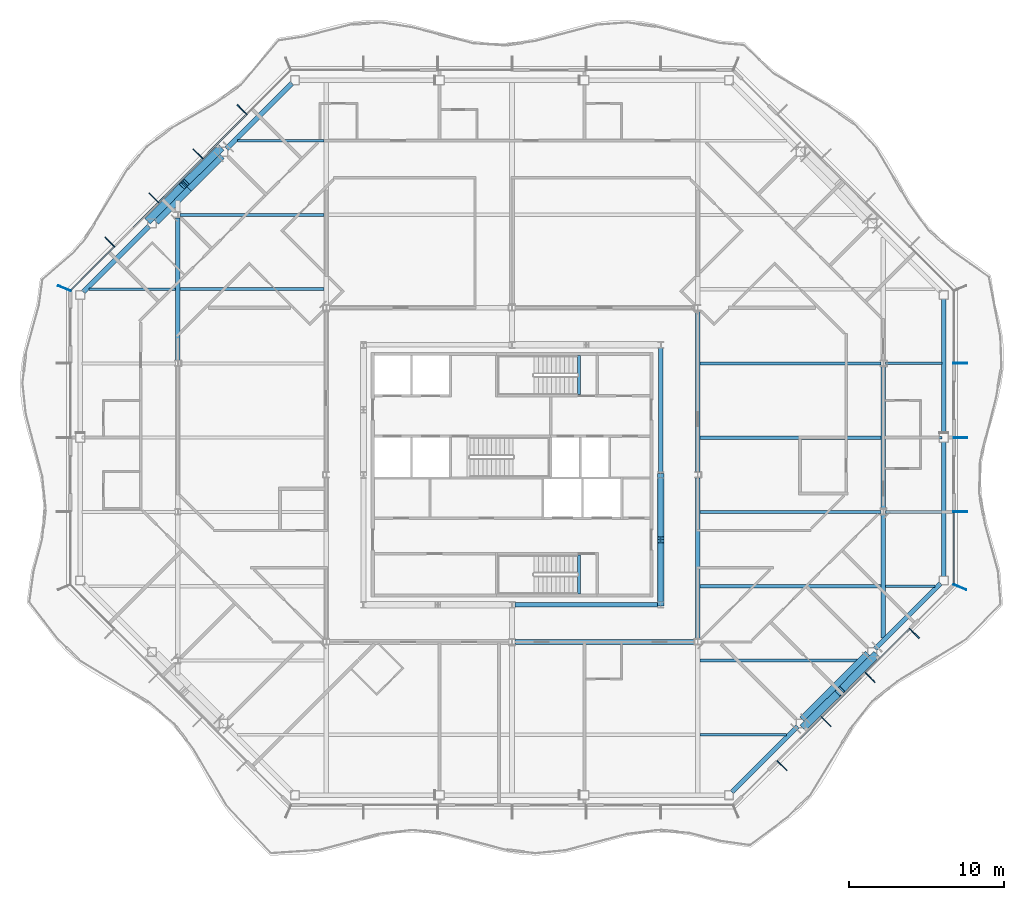
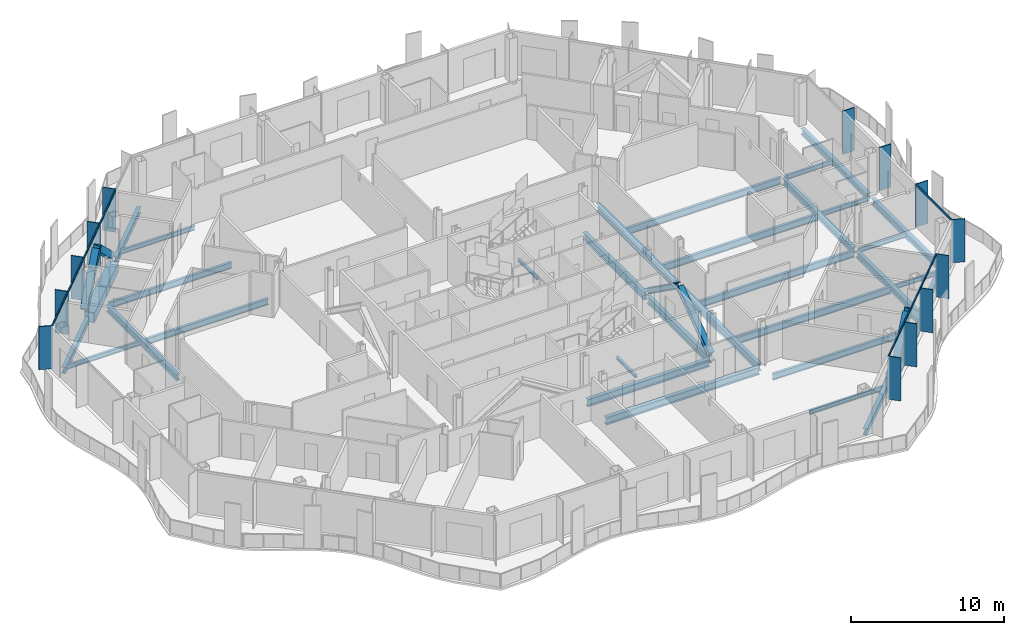
# One storey, part 4 of 21: 35 beams, 27 members, 4 elements without a shape of their own.
"""IFC4 building model written with IfcOpenShell, lengths in metres."""

from ifc_helpers import new_model, si_unit, direction, frame, origin, origin_2d, place, context, subcontext, project, spatial, rectangle, hollow_rectangle, i_section, extrude, material, material_profile, profile_set, type_object, element, aggregate, save


model = new_model("IFC4")

# Units and contexts
model_context = context("Model", 3, precision=1e-05, world=origin(), true_north=direction((0.0, 1.0)))
body_context = subcontext(model_context, "Body", "Model", "MODEL_VIEW")
ifc_project = project(units=[si_unit("LENGTHUNIT", "METRE"), si_unit("AREAUNIT", "SQUARE_METRE"), si_unit("VOLUMEUNIT", "CUBIC_METRE"), si_unit("PLANEANGLEUNIT", "RADIAN"), si_unit("MASSUNIT", "GRAM", prefix="KILO")], contexts=[model_context])

# Site, building, storey
site_placement = place(None, origin())
site = spatial("IfcSite", under=ifc_project, at=site_placement, CompositionType="ELEMENT")
building_placement = place(site_placement, origin())
building = spatial("IfcBuilding", under=site, at=building_placement, Name="Cairn Pilgrim Tower", CompositionType="ELEMENT")
storey_placement = place(building_placement, frame((0.0, 0.0, 168.60009765625)))
storey = spatial("IfcBuildingStorey", under=building, at=storey_placement, Name="L42", CompositionType="ELEMENT", Elevation=168.60009765625)

# Members
ifc_material_1 = material(Name="Structural steel S460M", Category="steel")
ifc_material_profile_1 = material_profile(ifc_material_1, hollow_rectangle(XDim=0.5, YDim=0.5, WallThickness=0.030029296875, at=origin_2d()), Name="BOX 500x500x30")
ifc_profile_set_1 = profile_set([ifc_material_profile_1], Name="Structural steel S460M")
member_type_1 = type_object("IfcMemberType", Name="BOX 500x500x30 BRACE", PredefinedType="BRACE", material=ifc_profile_set_1)
for number, where, z_axis, x_axis, name in (
    (1, (26.097900390625, -13.84326171875, 0.14990234375), (0.540432836476, 0.53283023714, 0.651171473306), (-0.702080283622, 0.712097799006, 0.0), "XB-SE2-SE3-1"),
    (2, (30.643310546875, -9.2978515625, 0.14990234375), (-0.53283023714, -0.540432836476, 0.651171473306), (0.712097799006, -0.702080283622, 0.0), "XB-SE2-SE3-2"),
    (3, (-11.697998046875, 23.443359375, 0.14990234375), (-0.540432836476, -0.53283023714, 0.651171473306), (0.702080283622, -0.712097799006, 0.0), "XB-NW2-NW3-1"),
    (4, (-16.243408203125, 18.89794921875, 0.14990234375), (0.532872437944, 0.54041586551, 0.651151024866), (-0.712058976351, 0.702119658034, 0.0), "XB-NW2-NW3-2"),
):
    element("IfcMember", number, at=place(storey_placement, frame(where, z_axis=z_axis, x_axis=x_axis)), inside=storey, type_object=member_type_1, Name=name, PredefinedType="BRACE", context=body_context, shape_type="SweptSolid", body=[
        extrude(hollow_rectangle(XDim=0.5, YDim=0.5, WallThickness=0.030029296875, at=origin_2d()), origin(), (0.0, 0.0, 1.0), 4.142578125),
    ])

# Beams
ifc_material_2 = material(Name="Structural steel S355J2", Category="steel")
ifc_material_profile_2 = material_profile(ifc_material_2, hollow_rectangle(XDim=0.699951171875, YDim=0.800048828125, WallThickness=0.0400390625, at=origin_2d()), Name="BOX 700x800x40")
ifc_profile_set_2 = profile_set([ifc_material_profile_2], Name="Structural steel S355J2")
beam_type_1 = type_object("IfcBeamType", Name="BOX 700x800x40 RING GIRDER", PredefinedType="SPANDREL", material=ifc_profile_set_2)
for number, where, z_axis, x_axis, name in (
    (5, (26.04248046875, -13.48486328125, -0.550048828125), (0.707066087907, 0.707147472125, 0.0), (-0.707147472125, 0.707066087907, 0.0), "RG2-SE2-SE3-1"),
    (6, (28.16357421875, -11.363525390625, -0.550048828125), (0.707147472125, 0.707066087907, 0.0), (-0.707066087907, 0.707147472125, 0.0), "RG2-SE2-SE3-2"),
    (7, (-11.642333984375, 23.084716796875, -0.550048828125), (-0.707147472125, -0.707066087907, 0.0), (0.707066087907, -0.707147472125, 0.0), "RG2-NW2-NW3-1"),
    (8, (-13.763671875, 20.963623046875, -0.550048828125), (-0.707066087907, -0.707147472125, 0.0), (0.707147472125, -0.707066087907, 0.0), "RG2-NW2-NW3-2"),
):
    element("IfcBeam", number, at=place(storey_placement, frame(where, z_axis=z_axis, x_axis=x_axis)), inside=storey, type_object=beam_type_1, Name=name, PredefinedType="SPANDREL", context=body_context, shape_type="SweptSolid", body=[
        extrude(hollow_rectangle(XDim=0.699951171875, YDim=0.800048828125, WallThickness=0.0400390625, at=origin_2d()), origin(), (0.0, 0.0, 1.0), 2.999755859375),
    ])

# Curtain wall, members
ifc_material_3 = material(Name="Aluminium alloy 6063-T6 bronze anodised with Bronze tinted laminated low-E glass 8+16+8.8", Category="aluminium")
curtain_wall_type_1 = type_object("IfcCurtainWallType", Name="CHAMFER CORNER CURTAIN WALL", PredefinedType="NOTDEFINED", material=ifc_material_3)
curtain_wall_1_placement = place(storey_placement, origin())
curtain_wall_1 = element("IfcCurtainWall", 9, at=curtain_wall_1_placement, inside=storey, type_object=curtain_wall_type_1, Name="Chamfer Corner Curtain Wall SE", PredefinedType="NOTDEFINED")
ifc_material_4 = material(Name="Aluminium alloy 6063-T6 bronze anodised", Category="aluminium")
ifc_material_profile_3 = material_profile(ifc_material_4, rectangle(XDim=0.89990234375, YDim=0.06005859375, at=origin_2d()), Name="FIN MULLION 60x900 BRONZE")
ifc_profile_set_3 = profile_set([ifc_material_profile_3], Name="Aluminium alloy 6063-T6 bronze anodised")
member_type_2 = type_object("IfcMemberType", Name="FIN MULLION 60x900 BRONZE", PredefinedType="MULLION", material=ifc_profile_set_3)
member_1_placement = place(storey_placement, frame((24.64404296875, -16.396240234375, 0.0), z_axis=(0.0, 0.0, 1.0), x_axis=(0.707106781187, -0.707106781187, 0.0)))
member_1 = element("IfcMember", 10, at=member_1_placement, type_object=member_type_2, Name="Fin mullion SE2", PredefinedType="MULLION", context=body_context, shape_type="SweptSolid", body=[
    extrude(rectangle(XDim=0.89990234375, YDim=0.06005859375, at=origin_2d()), origin(), (0.0, 0.0, 1.0), 3.449951171875),
])
member_2_placement = place(storey_placement, frame((27.494873046875, -13.545654296875, 0.0), z_axis=(0.0, 0.0, 1.0), x_axis=(0.707106781187, -0.707106781187, 0.0)))
member_2 = element("IfcMember", 11, at=member_2_placement, type_object=member_type_2, Name="Fin mullion SE3", PredefinedType="MULLION", context=body_context, shape_type="SweptSolid", body=[
    extrude(rectangle(XDim=0.89990234375, YDim=0.06005859375, at=origin_2d()), origin(), (0.0, 0.0, 1.0), 3.449951171875),
])
member_3_placement = place(storey_placement, frame((30.345458984375, -10.69482421875, 0.0), z_axis=(0.0, 0.0, 1.0), x_axis=(0.707106781187, -0.707106781187, 0.0)))
member_3 = element("IfcMember", 12, at=member_3_placement, type_object=member_type_2, Name="Fin mullion SE4", PredefinedType="MULLION", context=body_context, shape_type="SweptSolid", body=[
    extrude(rectangle(XDim=0.89990234375, YDim=0.06005859375, at=origin_2d()), origin(), (0.0, 0.0, 1.0), 3.449951171875),
])
member_4_placement = place(storey_placement, frame((33.1962890625, -7.84423828125, 0.0), z_axis=(0.0, 0.0, 1.0), x_axis=(0.707106781187, -0.707106781187, 0.0)))
member_4 = element("IfcMember", 13, at=member_4_placement, type_object=member_type_2, Name="Fin mullion SE5", PredefinedType="MULLION", context=body_context, shape_type="SweptSolid", body=[
    extrude(rectangle(XDim=0.89990234375, YDim=0.06005859375, at=origin_2d()), origin(), (0.0, 0.0, 1.0), 3.449951171875),
])

curtain_wall_type_2 = type_object("IfcCurtainWallType", Name="TOWER STICK CURTAIN WALL EW", PredefinedType="NOTDEFINED", material=ifc_material_3)
curtain_wall_2_placement = place(storey_placement, origin())
curtain_wall_2 = element("IfcCurtainWall", 14, at=curtain_wall_2_placement, inside=storey, type_object=curtain_wall_type_2, Name="Tower Stick Curtain Wall Ew E", PredefinedType="NOTDEFINED")
member_5_placement = place(storey_placement, frame((36.137939453125, -4.857177734375, 0.0), z_axis=(0.0, 0.0, 1.0), x_axis=(0.923879532511, -0.382683432365, 0.0)))
member_5 = element("IfcMember", 15, at=member_5_placement, type_object=member_type_2, Name="Fin mullion E1", PredefinedType="MULLION", context=body_context, shape_type="SweptSolid", body=[
    extrude(rectangle(XDim=0.89990234375, YDim=0.06005859375, at=origin_2d()), origin(), (0.0, 0.0, 1.0), 3.449951171875),
])
member_6_placement = place(storey_placement, frame((36.169921875, 0.0, 0.0), z_axis=(0.0, 0.0, 1.0), x_axis=(1.0, 0.0, 0.0)))
member_6 = element("IfcMember", 16, at=member_6_placement, type_object=member_type_2, Name="Fin mullion E2", PredefinedType="MULLION", context=body_context, shape_type="SweptSolid", body=[
    extrude(rectangle(XDim=0.89990234375, YDim=0.06005859375, at=origin_2d()), origin(), (0.0, 0.0, 1.0), 3.449951171875),
])
member_7_placement = place(storey_placement, frame((36.169921875, 4.800048828125, 0.0), z_axis=(0.0, 0.0, 1.0), x_axis=(1.0, 0.0, 0.0)))
member_7 = element("IfcMember", 17, at=member_7_placement, type_object=member_type_2, Name="Fin mullion E3", PredefinedType="MULLION", context=body_context, shape_type="SweptSolid", body=[
    extrude(rectangle(XDim=0.89990234375, YDim=0.06005859375, at=origin_2d()), origin(), (0.0, 0.0, 1.0), 3.449951171875),
])
member_8_placement = place(storey_placement, frame((36.169921875, 9.60009765625, 0.0), z_axis=(0.0, 0.0, 1.0), x_axis=(1.0, 0.0, 0.0)))
member_8 = element("IfcMember", 18, at=member_8_placement, type_object=member_type_2, Name="Fin mullion E4", PredefinedType="MULLION", context=body_context, shape_type="SweptSolid", body=[
    extrude(rectangle(XDim=0.89990234375, YDim=0.06005859375, at=origin_2d()), origin(), (0.0, 0.0, 1.0), 3.449951171875),
])

curtain_wall_3_placement = place(storey_placement, origin())
curtain_wall_3 = element("IfcCurtainWall", 19, at=curtain_wall_3_placement, inside=storey, type_object=curtain_wall_type_1, Name="Chamfer Corner Curtain Wall NW", PredefinedType="NOTDEFINED")
member_9_placement = place(storey_placement, frame((-10.244140625, 25.996337890625, 0.0), z_axis=(0.0, 0.0, 1.0), x_axis=(-0.707106781187, 0.707106781187, 0.0)))
member_9 = element("IfcMember", 20, at=member_9_placement, type_object=member_type_2, Name="Fin mullion NW2", PredefinedType="MULLION", context=body_context, shape_type="SweptSolid", body=[
    extrude(rectangle(XDim=0.89990234375, YDim=0.06005859375, at=origin_2d()), origin(), (0.0, 0.0, 1.0), 3.449951171875),
])
member_10_placement = place(storey_placement, frame((-13.094970703125, 23.1455078125, 0.0), z_axis=(0.0, 0.0, 1.0), x_axis=(-0.707106781187, 0.707106781187, 0.0)))
member_10 = element("IfcMember", 21, at=member_10_placement, type_object=member_type_2, Name="Fin mullion NW3", PredefinedType="MULLION", context=body_context, shape_type="SweptSolid", body=[
    extrude(rectangle(XDim=0.89990234375, YDim=0.06005859375, at=origin_2d()), origin(), (0.0, 0.0, 1.0), 3.449951171875),
])
member_11_placement = place(storey_placement, frame((-15.945556640625, 20.294921875, 0.0), z_axis=(0.0, 0.0, 1.0), x_axis=(-0.707106781187, 0.707106781187, 0.0)))
member_11 = element("IfcMember", 22, at=member_11_placement, type_object=member_type_2, Name="Fin mullion NW4", PredefinedType="MULLION", context=body_context, shape_type="SweptSolid", body=[
    extrude(rectangle(XDim=0.89990234375, YDim=0.06005859375, at=origin_2d()), origin(), (0.0, 0.0, 1.0), 3.449951171875),
])
member_12_placement = place(storey_placement, frame((-18.79638671875, 17.444091796875, 0.0), z_axis=(0.0, 0.0, 1.0), x_axis=(-0.707106781187, 0.707106781187, 0.0)))
member_12 = element("IfcMember", 23, at=member_12_placement, type_object=member_type_2, Name="Fin mullion NW5", PredefinedType="MULLION", context=body_context, shape_type="SweptSolid", body=[
    extrude(rectangle(XDim=0.89990234375, YDim=0.06005859375, at=origin_2d()), origin(), (0.0, 0.0, 1.0), 3.449951171875),
])

# Curtain wall, member
curtain_wall_4_placement = place(storey_placement, origin())
curtain_wall_4 = element("IfcCurtainWall", 24, at=curtain_wall_4_placement, inside=storey, type_object=curtain_wall_type_2, Name="Tower Stick Curtain Wall Ew W", PredefinedType="NOTDEFINED")
member_13_placement = place(storey_placement, frame((-21.738037109375, 14.457275390625, 0.0), z_axis=(0.0, 0.0, 1.0), x_axis=(-0.923879532511, 0.382683432365, 0.0)))
member_13 = element("IfcMember", 25, at=member_13_placement, type_object=member_type_2, Name="Fin mullion W1", PredefinedType="MULLION", context=body_context, shape_type="SweptSolid", body=[
    extrude(rectangle(XDim=0.89990234375, YDim=0.06005859375, at=origin_2d()), origin(), (0.0, 0.0, 1.0), 3.449951171875),
])
aggregate(curtain_wall_4, [member_13])

# Members
ifc_material_profile_4 = material_profile(ifc_material_1, i_section(OverallWidth=0.408935546875, OverallDepth=0.425048828125, WebThickness=0.03271484375, FlangeThickness=0.052490234375, FilletRadius=0.014892578125, at=origin_2d()), Name="HD 400x421")
ifc_profile_set_4 = profile_set([ifc_material_profile_4], Name="Structural steel S460M")
member_type_3 = type_object("IfcMemberType", Name="HD 400x421 BRACE", PredefinedType="BRACE", material=ifc_profile_set_4)
member_14_placement = place(storey_placement, frame((16.800048828125, -5.95849609375, 0.099853515625), z_axis=(0.0, 0.814346882511, 0.580378458373), x_axis=(-1.0, 0.0, 0.0)))
element("IfcMember", 26, at=member_14_placement, inside=storey, type_object=member_type_3, Name="KB-2A", PredefinedType="BRACE", context=body_context, shape_type="SweptSolid", body=[
    extrude(i_section(OverallWidth=0.408935546875, OverallDepth=0.425048828125, WebThickness=0.03271484375, FlangeThickness=0.052490234375, FilletRadius=0.014892578125, at=origin_2d()), origin(), (0.0, 0.0, 1.0), 4.998291015625),
])
member_15_placement = place(storey_placement, frame((16.800048828125, 2.3583984375, 0.099853515625), z_axis=(0.0, -0.81433042856, 0.580401544727), x_axis=(1.0, 0.0, 0.0)))
element("IfcMember", 27, at=member_15_placement, inside=storey, type_object=member_type_3, Name="KB-2B", PredefinedType="BRACE", context=body_context, shape_type="SweptSolid", body=[
    extrude(i_section(OverallWidth=0.408935546875, OverallDepth=0.425048828125, WebThickness=0.03271484375, FlangeThickness=0.052490234375, FilletRadius=0.014892578125, at=origin_2d()), origin(), (0.0, 0.0, 1.0), 4.998046875),
])

# Beams
ifc_material_profile_5 = material_profile(ifc_material_2, i_section(OverallWidth=0.300048828125, OverallDepth=0.5, WebThickness=0.014404296875, FlangeThickness=0.028076171875, FilletRadius=0.027099609375, at=origin_2d()), Name="HEB 500")
ifc_profile_set_5 = profile_set([ifc_material_profile_5], Name="Structural steel S355J2")
beam_type_2 = type_object("IfcBeamType", Name="HEB 500 GIRDER", PredefinedType="BEAM", material=ifc_profile_set_5)
beam_1_placement = place(storey_placement, frame((-14.39990234375, 9.799560546875, -0.400146484375), z_axis=(0.0, 1.0, 0.0), x_axis=(-1.0, 0.0, 0.0)))
element("IfcBeam", 28, at=beam_1_placement, inside=storey, type_object=beam_type_2, Name="PG1-3", PredefinedType="BEAM", context=body_context, shape_type="SweptSolid", body=[
    extrude(i_section(OverallWidth=0.300048828125, OverallDepth=0.5, WebThickness=0.014404296875, FlangeThickness=0.028076171875, FilletRadius=0.027099609375, at=origin_2d()), origin(), (0.0, 0.0, 1.0), 9.200927734375),
])
beam_2_placement = place(storey_placement, frame((31.199951171875, -8.14501953125, -0.400146484375), z_axis=(0.0, 1.0, 0.0), x_axis=(-1.0, 0.0, 0.0)))
element("IfcBeam", 29, at=beam_2_placement, inside=storey, type_object=beam_type_2, Name="PG5-1", PredefinedType="BEAM", context=body_context, shape_type="SweptSolid", body=[
    extrude(i_section(OverallWidth=0.300048828125, OverallDepth=0.5, WebThickness=0.014404296875, FlangeThickness=0.028076171875, FilletRadius=0.027099609375, at=origin_2d()), origin(), (0.0, 0.0, 1.0), 7.9404296875),
])
beam_3_placement = place(storey_placement, frame((31.199951171875, 0.20458984375, -0.400146484375), z_axis=(0.0, 1.0, 0.0), x_axis=(-1.0, 0.0, 0.0)))
element("IfcBeam", 30, at=beam_3_placement, inside=storey, type_object=beam_type_2, Name="PG5-2", PredefinedType="BEAM", context=body_context, shape_type="SweptSolid", body=[
    extrude(i_section(OverallWidth=0.300048828125, OverallDepth=0.5, WebThickness=0.014404296875, FlangeThickness=0.028076171875, FilletRadius=0.027099609375, at=origin_2d()), origin(), (0.0, 0.0, 1.0), 9.19091796875),
])
ifc_material_profile_6 = material_profile(ifc_material_2, i_section(OverallWidth=0.300048828125, OverallDepth=0.5, WebThickness=0.014404296875, FlangeThickness=0.028076171875, FilletRadius=0.027099609375, at=origin_2d()), Name="HEB 500")
ifc_profile_set_6 = profile_set([ifc_material_profile_6], Name="Structural steel S355J2")
beam_type_3 = type_object("IfcBeamType", Name="HEB 500 RING GIRDER", PredefinedType="SPANDREL", material=ifc_profile_set_6)
for number, where, z_axis, x_axis, name in (
    (31, (21.418212890625, -18.109130859375, -0.400146484375), (0.707106781187, 0.707106781187, 0.0), (-0.707106781187, 0.707106781187, 0.0), "RG2-SE1-SE2"),
    (32, (30.666748046875, -8.860595703125, -0.400146484375), (0.707106781187, 0.707106781187, 0.0), (-0.707106781187, 0.707106781187, 0.0), "RG2-SE3-E1"),
):
    element("IfcBeam", number, at=place(storey_placement, frame(where, z_axis=z_axis, x_axis=x_axis)), inside=storey, type_object=beam_type_3, Name=name, PredefinedType="SPANDREL", context=body_context, shape_type="SweptSolid", body=[
        extrude(i_section(OverallWidth=0.300048828125, OverallDepth=0.5, WebThickness=0.014404296875, FlangeThickness=0.028076171875, FilletRadius=0.027099609375, at=origin_2d()), origin(), (0.0, 0.0, 1.0), 5.999755859375),
    ])
beam_4_placement = place(storey_placement, frame((35.10009765625, -4.1572265625, -0.400146484375), z_axis=(0.0, 1.0, 0.0), x_axis=(-1.0, 0.0, 0.0)))
element("IfcBeam", 33, at=beam_4_placement, inside=storey, type_object=beam_type_3, Name="RG2-E1-E2", PredefinedType="SPANDREL", context=body_context, shape_type="SweptSolid", body=[
    extrude(i_section(OverallWidth=0.300048828125, OverallDepth=0.5, WebThickness=0.014404296875, FlangeThickness=0.028076171875, FilletRadius=0.027099609375, at=origin_2d()), origin(), (0.0, 0.0, 1.0), 8.687255859375),
])
beam_5_placement = place(storey_placement, frame((35.10009765625, 5.070068359375, -0.400146484375), z_axis=(0.0, 1.0, 0.0), x_axis=(-1.0, 0.0, 0.0)))
element("IfcBeam", 34, at=beam_5_placement, inside=storey, type_object=beam_type_3, Name="RG2-E2-NE1", PredefinedType="SPANDREL", context=body_context, shape_type="SweptSolid", body=[
    extrude(i_section(OverallWidth=0.300048828125, OverallDepth=0.5, WebThickness=0.014404296875, FlangeThickness=0.028076171875, FilletRadius=0.027099609375, at=origin_2d()), origin(), (0.0, 0.0, 1.0), 8.68701171875),
])
beam_6_placement = place(storey_placement, frame((-7.01806640625, 27.708984375, -0.400146484375), z_axis=(-0.707127127534, -0.707086434254, 0.0), x_axis=(0.707086434254, -0.707127127534, 0.0)))
element("IfcBeam", 35, at=beam_6_placement, inside=storey, type_object=beam_type_3, Name="RG2-NW1-NW2", PredefinedType="SPANDREL", context=body_context, shape_type="SweptSolid", body=[
    extrude(i_section(OverallWidth=0.300048828125, OverallDepth=0.5, WebThickness=0.014404296875, FlangeThickness=0.028076171875, FilletRadius=0.027099609375, at=origin_2d()), origin(), (0.0, 0.0, 1.0), 5.99951171875),
])
beam_7_placement = place(storey_placement, frame((-16.2666015625, 18.460693359375, -0.400146484375), z_axis=(-0.707086435425, -0.707127126363, 0.0), x_axis=(0.707127126363, -0.707086435425, 0.0)))
element("IfcBeam", 36, at=beam_7_placement, inside=storey, type_object=beam_type_3, Name="RG2-NW3-W1", PredefinedType="SPANDREL", context=body_context, shape_type="SweptSolid", body=[
    extrude(i_section(OverallWidth=0.300048828125, OverallDepth=0.5, WebThickness=0.014404296875, FlangeThickness=0.028076171875, FilletRadius=0.027099609375, at=origin_2d()), origin(), (0.0, 0.0, 1.0), 5.999755859375),
])
ifc_material_profile_7 = material_profile(ifc_material_2, i_section(OverallWidth=0.300048828125, OverallDepth=0.60009765625, WebThickness=0.015380859375, FlangeThickness=0.030029296875, FilletRadius=0.027099609375, at=origin_2d()), Name="HEB 600")
ifc_profile_set_7 = profile_set([ifc_material_profile_7], Name="Structural steel S355J2")
beam_type_4 = type_object("IfcBeamType", Name="HEB 600 CORE BEAM", PredefinedType="BEAM", material=ifc_profile_set_7)
beam_8_placement = place(storey_placement, frame((7.38720703125, -6.0, -0.4501953125), z_axis=(1.0, 0.0, 0.0), x_axis=(0.0, 1.0, 0.0)))
element("IfcBeam", 37, at=beam_8_placement, inside=storey, type_object=beam_type_4, Name="CB-2", PredefinedType="BEAM", context=body_context, shape_type="SweptSolid", body=[
    extrude(i_section(OverallWidth=0.300048828125, OverallDepth=0.60009765625, WebThickness=0.015380859375, FlangeThickness=0.030029296875, FilletRadius=0.027099609375, at=origin_2d()), origin(), (0.0, 0.0, 1.0), 9.2255859375),
])
for number, where, z_axis, x_axis, name in (
    (38, (16.800048828125, -5.812744140625, -0.4501953125), (0.0, 1.0, 0.0), (-1.0, 0.0, 0.0), "CB-3"),
    (39, (16.800048828125, 2.587158203125, -0.4501953125), (0.0, 1.0, 0.0), (-1.0, 0.0, 0.0), "CB-4"),
):
    element("IfcBeam", number, at=place(storey_placement, frame(where, z_axis=z_axis, x_axis=x_axis)), inside=storey, type_object=beam_type_4, Name=name, PredefinedType="BEAM", context=body_context, shape_type="SweptSolid", body=[
        extrude(i_section(OverallWidth=0.300048828125, OverallDepth=0.60009765625, WebThickness=0.015380859375, FlangeThickness=0.030029296875, FilletRadius=0.027099609375, at=origin_2d()), origin(), (0.0, 0.0, 1.0), 8.025634765625),
    ])
ifc_material_profile_8 = material_profile(ifc_material_2, i_section(OverallWidth=0.300048828125, OverallDepth=0.60009765625, WebThickness=0.015380859375, FlangeThickness=0.030029296875, FilletRadius=0.027099609375, at=origin_2d()), Name="HEB 600")
ifc_profile_set_8 = profile_set([ifc_material_profile_8], Name="Structural steel S355J2")
beam_type_5 = type_object("IfcBeamType", Name="HEB 600 GIRDER", PredefinedType="BEAM", material=ifc_profile_set_8)
for number, where, z_axis, x_axis, name in (
    (40, (19.199951171875, -8.200439453125, -0.4501953125), (0.0, 1.0, 0.0), (-1.0, 0.0, 0.0), "PG4-2"),
    (41, (19.199951171875, 2.599609375, -0.4501953125), (0.0, 1.0, 0.0), (-1.0, 0.0, 0.0), "PG4-3"),
):
    element("IfcBeam", number, at=place(storey_placement, frame(where, z_axis=z_axis, x_axis=x_axis)), inside=storey, type_object=beam_type_5, Name=name, PredefinedType="BEAM", context=body_context, shape_type="SweptSolid", body=[
        extrude(i_section(OverallWidth=0.300048828125, OverallDepth=0.60009765625, WebThickness=0.015380859375, FlangeThickness=0.030029296875, FilletRadius=0.027099609375, at=origin_2d()), origin(), (0.0, 0.0, 1.0), 10.40087890625),
    ])
ifc_material_profile_9 = material_profile(ifc_material_2, i_section(OverallWidth=0.300048828125, OverallDepth=0.60009765625, WebThickness=0.015380859375, FlangeThickness=0.030029296875, FilletRadius=0.027099609375, at=origin_2d()), Name="HEB 600")
ifc_profile_set_9 = profile_set([ifc_material_profile_9], Name="Structural steel S355J2")
beam_type_6 = type_object("IfcBeamType", Name="HEB 600 INNER GIRDER", PredefinedType="BEAM", material=ifc_profile_set_9)
beam_9_placement = place(storey_placement, frame((7.3994140625, -8.39990234375, -0.4501953125), z_axis=(1.0, 0.0, 0.0), x_axis=(0.0, 1.0, 0.0)))
element("IfcBeam", 42, at=beam_9_placement, inside=storey, type_object=beam_type_6, Name="IG1-2", PredefinedType="BEAM", context=body_context, shape_type="SweptSolid", body=[
    extrude(i_section(OverallWidth=0.300048828125, OverallDepth=0.60009765625, WebThickness=0.015380859375, FlangeThickness=0.030029296875, FilletRadius=0.027099609375, at=origin_2d()), origin(), (0.0, 0.0, 1.0), 11.60107421875),
])
ifc_material_profile_10 = material_profile(ifc_material_2, i_section(OverallWidth=0.169921875, OverallDepth=0.360107421875, WebThickness=0.008056640625, FlangeThickness=0.0126953125, FilletRadius=0.01806640625, at=origin_2d()), Name="IPE 360")
ifc_profile_set_10 = profile_set([ifc_material_profile_10], Name="Structural steel S355J2")
beam_type_7 = type_object("IfcBeamType", Name="IPE 360 SECONDARY BEAM", PredefinedType="JOIST", material=ifc_profile_set_10)
beam_10_placement = place(storey_placement, frame((19.35009765625, -14.39990234375, -0.330078125), z_axis=(1.0, 0.0, 0.0), x_axis=(0.0, 1.0, 0.0)))
element("IfcBeam", 43, at=beam_10_placement, inside=storey, type_object=beam_type_7, Name="SB1-4", PredefinedType="JOIST", context=body_context, shape_type="SweptSolid", body=[
    extrude(i_section(OverallWidth=0.169921875, OverallDepth=0.360107421875, WebThickness=0.008056640625, FlangeThickness=0.0126953125, FilletRadius=0.01806640625, at=origin_2d()), origin(), (0.0, 0.0, 1.0), 5.594970703125),
])
beam_11_placement = place(storey_placement, frame((31.35009765625, -4.800048828125, -0.330078125), z_axis=(1.0, 0.0, 0.0), x_axis=(0.0, 1.0, 0.0)))
element("IfcBeam", 44, at=beam_11_placement, inside=storey, type_object=beam_type_7, Name="SB3-4", PredefinedType="JOIST", context=body_context, shape_type="SweptSolid", body=[
    extrude(i_section(OverallWidth=0.169921875, OverallDepth=0.360107421875, WebThickness=0.008056640625, FlangeThickness=0.0126953125, FilletRadius=0.01806640625, at=origin_2d()), origin(), (0.0, 0.0, 1.0), 3.195068359375),
])
for number, where, z_axis, x_axis, name in (
    (45, (31.35009765625, 0.0, -0.330078125), (1.0, 0.0, 0.0), (0.0, 1.0, 0.0), "SB4-4"),
    (46, (31.35009765625, 4.800048828125, -0.330078125), (1.0, 0.0, 0.0), (0.0, 1.0, 0.0), "SB5-4"),
    (47, (31.35009765625, 9.60009765625, -0.330078125), (1.0, 0.0, 0.0), (0.0, 1.0, 0.0), "SB6-4"),
):
    element("IfcBeam", number, at=place(storey_placement, frame(where, z_axis=z_axis, x_axis=x_axis)), inside=storey, type_object=beam_type_7, Name=name, PredefinedType="JOIST", context=body_context, shape_type="SweptSolid", body=[
        extrude(i_section(OverallWidth=0.169921875, OverallDepth=0.360107421875, WebThickness=0.008056640625, FlangeThickness=0.0126953125, FilletRadius=0.01806640625, at=origin_2d()), origin(), (0.0, 0.0, 1.0), 3.6298828125),
    ])
beam_12_placement = place(storey_placement, frame((-20.14501953125, 14.39990234375, -0.330078125), z_axis=(1.0, 0.0, 0.0), x_axis=(0.0, 1.0, 0.0)))
element("IfcBeam", 48, at=beam_12_placement, inside=storey, type_object=beam_type_7, Name="SB7-1", PredefinedType="JOIST", context=body_context, shape_type="SweptSolid", body=[
    extrude(i_section(OverallWidth=0.169921875, OverallDepth=0.360107421875, WebThickness=0.008056640625, FlangeThickness=0.0126953125, FilletRadius=0.01806640625, at=origin_2d()), origin(), (0.0, 0.0, 1.0), 5.594970703125),
])
beam_13_placement = place(storey_placement, frame((-10.545166015625, 24.0, -0.330078125), z_axis=(1.0, 0.0, 0.0), x_axis=(0.0, 1.0, 0.0)))
element("IfcBeam", 49, at=beam_13_placement, inside=storey, type_object=beam_type_7, Name="SB9-1", PredefinedType="JOIST", context=body_context, shape_type="SweptSolid", body=[
    extrude(i_section(OverallWidth=0.169921875, OverallDepth=0.360107421875, WebThickness=0.008056640625, FlangeThickness=0.0126953125, FilletRadius=0.01806640625, at=origin_2d()), origin(), (0.0, 0.0, 1.0), 5.59521484375),
])
ifc_material_profile_11 = material_profile(ifc_material_2, i_section(OverallWidth=0.199951171875, OverallDepth=0.5, WebThickness=0.01025390625, FlangeThickness=0.01611328125, FilletRadius=0.02099609375, at=origin_2d()), Name="IPE 500")
ifc_profile_set_11 = profile_set([ifc_material_profile_11], Name="Structural steel S355J2")
beam_type_8 = type_object("IfcBeamType", Name="IPE 500 SECONDARY BEAM", PredefinedType="JOIST", material=ifc_profile_set_11)
beam_14_placement = place(storey_placement, frame((19.35009765625, -9.60009765625, -0.400146484375), z_axis=(1.0, 0.0, 0.0), x_axis=(0.0, 1.0, 0.0)))
element("IfcBeam", 50, at=beam_14_placement, inside=storey, type_object=beam_type_8, Name="SB2-2", PredefinedType="JOIST", context=body_context, shape_type="SweptSolid", body=[
    extrude(i_section(OverallWidth=0.199951171875, OverallDepth=0.5, WebThickness=0.01025390625, FlangeThickness=0.01611328125, FilletRadius=0.02099609375, at=origin_2d()), origin(), (0.0, 0.0, 1.0), 10.39501953125),
])
for number, where, z_axis, x_axis, name in (
    (51, (-14.25, 14.39990234375, -0.400146484375), (1.0, 0.0, 0.0), (0.0, 1.0, 0.0), "SB7-2"),
    (52, (-14.25, 19.199951171875, -0.400146484375), (1.0, 0.0, 0.0), (0.0, 1.0, 0.0), "SB8-1"),
):
    element("IfcBeam", number, at=place(storey_placement, frame(where, z_axis=z_axis, x_axis=x_axis)), inside=storey, type_object=beam_type_8, Name=name, PredefinedType="JOIST", context=body_context, shape_type="SweptSolid", body=[
        extrude(i_section(OverallWidth=0.199951171875, OverallDepth=0.5, WebThickness=0.01025390625, FlangeThickness=0.01611328125, FilletRadius=0.02099609375, at=origin_2d()), origin(), (0.0, 0.0, 1.0), 9.300048828125),
    ])
ifc_material_profile_12 = material_profile(ifc_material_2, i_section(OverallWidth=0.2099609375, OverallDepth=0.550048828125, WebThickness=0.010986328125, FlangeThickness=0.01708984375, FilletRadius=0.02392578125, at=origin_2d()), Name="IPE 550")
ifc_profile_set_12 = profile_set([ifc_material_profile_12], Name="Structural steel S355J2")
beam_type_9 = type_object("IfcBeamType", Name="IPE 550 SECONDARY BEAM", PredefinedType="JOIST", material=ifc_profile_set_12)
for number, where, z_axis, x_axis, name in (
    (53, (19.35009765625, -4.800048828125, -0.425048828125), (1.0, 0.0, 0.0), (0.0, 1.0, 0.0), "SB3-3"),
    (54, (19.35009765625, 0.0, -0.425048828125), (1.0, 0.0, 0.0), (0.0, 1.0, 0.0), "SB4-3"),
    (55, (19.35009765625, 4.800048828125, -0.425048828125), (1.0, 0.0, 0.0), (0.0, 1.0, 0.0), "SB5-3"),
    (56, (19.35009765625, 9.60009765625, -0.425048828125), (1.0, 0.0, 0.0), (0.0, 1.0, 0.0), "SB6-3"),
):
    element("IfcBeam", number, at=place(storey_placement, frame(where, z_axis=z_axis, x_axis=x_axis)), inside=storey, type_object=beam_type_9, Name=name, PredefinedType="JOIST", context=body_context, shape_type="SweptSolid", body=[
        extrude(i_section(OverallWidth=0.2099609375, OverallDepth=0.550048828125, WebThickness=0.010986328125, FlangeThickness=0.01708984375, FilletRadius=0.02392578125, at=origin_2d()), origin(), (0.0, 0.0, 1.0), 11.699951171875),
    ])
ifc_material_profile_13 = material_profile(ifc_material_2, i_section(OverallWidth=0.199951171875, OverallDepth=0.199951171875, WebThickness=0.009033203125, FlangeThickness=0.014892578125, FilletRadius=0.01806640625, at=origin_2d()), Name="HE 200 B")
ifc_profile_set_13 = profile_set([ifc_material_profile_13], Name="Structural steel S355J2")
beam_type_10 = type_object("IfcBeamType", Name="STAIR LANDING BEAM HE 200 B", PredefinedType="BEAM", material=ifc_profile_set_13)
for number, where, z_axis, x_axis, name in (
    (57, (11.5244140625, -2.77490234375, -0.25), (0.0, -1.0, 0.0), (1.0, 0.0, 0.0), "STAIR LANDING BEAM LD-HE200B"),
    (58, (11.5244140625, 10.10009765625, -0.25), (0.0, -1.0, 0.0), (1.0, 0.0, 0.0), "STAIR LANDING BEAM LD-HE200B"),
):
    element("IfcBeam", number, at=place(storey_placement, frame(where, z_axis=z_axis, x_axis=x_axis)), inside=storey, type_object=beam_type_10, Name=name, PredefinedType="BEAM", context=body_context, shape_type="SweptSolid", body=[
        extrude(i_section(OverallWidth=0.199951171875, OverallDepth=0.199951171875, WebThickness=0.009033203125, FlangeThickness=0.014892578125, FilletRadius=0.01806640625, at=origin_2d()), origin(), (0.0, 0.0, 1.0), 2.525146484375),
    ])

# Member
ifc_material_profile_14 = material_profile(ifc_material_4, rectangle(XDim=0.080078125, YDim=0.14990234375, at=origin_2d()), Name="TRANSOM 80x150 BRONZE")
ifc_profile_set_14 = profile_set([ifc_material_profile_14], Name="Aluminium alloy 6063-T6 bronze anodised")
member_type_4 = type_object("IfcMemberType", Name="TRANSOM 80x150 BRONZE", PredefinedType="USERDEFINED", material=ifc_profile_set_14)
member_16_placement = place(storey_placement, frame((24.368408203125, -16.078125, 3.375), z_axis=(0.707106781187, 0.707106781187, 0.0), x_axis=(-0.707106781187, 0.707106781187, 0.0)))
member_16 = element("IfcMember", 59, at=member_16_placement, type_object=member_type_4, Name="Transom SE2", ObjectType="TRANSOM", PredefinedType="USERDEFINED", context=body_context, shape_type="SweptSolid", body=[
    extrude(rectangle(XDim=0.080078125, YDim=0.14990234375, at=origin_2d()), origin(), (0.0, 0.0, 1.0), 3.9716796875),
])

member_17_placement = place(storey_placement, frame((27.218994140625, -13.227294921875, 3.375), z_axis=(0.70713751761, 0.707076043427, 0.0), x_axis=(-0.707076043427, 0.70713751761, 0.0)))
member_17 = element("IfcMember", 60, at=member_17_placement, type_object=member_type_4, Name="Transom SE3", ObjectType="TRANSOM", PredefinedType="USERDEFINED", context=body_context, shape_type="SweptSolid", body=[
    extrude(rectangle(XDim=0.080078125, YDim=0.14990234375, at=origin_2d()), origin(), (0.0, 0.0, 1.0), 3.971435546875),
])

member_18_placement = place(storey_placement, frame((30.06982421875, -10.376708984375, 3.375), z_axis=(0.707106781187, 0.707106781187, 0.0), x_axis=(-0.707106781187, 0.707106781187, 0.0)))
member_18 = element("IfcMember", 61, at=member_18_placement, type_object=member_type_4, Name="Transom SE4", ObjectType="TRANSOM", PredefinedType="USERDEFINED", context=body_context, shape_type="SweptSolid", body=[
    extrude(rectangle(XDim=0.080078125, YDim=0.14990234375, at=origin_2d()), origin(), (0.0, 0.0, 1.0), 3.9716796875),
])

aggregate(curtain_wall_1, [member_1, member_2, member_3, member_4, member_16, member_17, member_18])

member_19_placement = place(storey_placement, frame((35.75, -4.656494140625, 3.375), z_axis=(0.0, 1.0, 0.0), x_axis=(-1.0, 0.0, 0.0)))
member_19 = element("IfcMember", 62, at=member_19_placement, type_object=member_type_4, Name="Transom E1", ObjectType="TRANSOM", PredefinedType="USERDEFINED", context=body_context, shape_type="SweptSolid", body=[
    extrude(rectangle(XDim=0.080078125, YDim=0.14990234375, at=origin_2d()), origin(), (0.0, 0.0, 1.0), 4.62646484375),
])

aggregate(curtain_wall_2, [member_5, member_6, member_7, member_8, member_19])

member_20_placement = place(storey_placement, frame((-9.96826171875, 25.677978515625, 3.375), z_axis=(-0.70713751761, -0.707076043427, 0.0), x_axis=(0.707076043427, -0.70713751761, 0.0)))
member_20 = element("IfcMember", 63, at=member_20_placement, type_object=member_type_4, Name="Transom NW2", ObjectType="TRANSOM", PredefinedType="USERDEFINED", context=body_context, shape_type="SweptSolid", body=[
    extrude(rectangle(XDim=0.080078125, YDim=0.14990234375, at=origin_2d()), origin(), (0.0, 0.0, 1.0), 3.971435546875),
])

member_21_placement = place(storey_placement, frame((-12.819091796875, 22.827392578125, 3.375), z_axis=(-0.707106781187, -0.707106781187, 0.0), x_axis=(0.707106781187, -0.707106781187, 0.0)))
member_21 = element("IfcMember", 64, at=member_21_placement, type_object=member_type_4, Name="Transom NW3", ObjectType="TRANSOM", PredefinedType="USERDEFINED", context=body_context, shape_type="SweptSolid", body=[
    extrude(rectangle(XDim=0.080078125, YDim=0.14990234375, at=origin_2d()), origin(), (0.0, 0.0, 1.0), 3.9716796875),
])

member_22_placement = place(storey_placement, frame((-15.669677734375, 19.9765625, 3.375), z_axis=(-0.70713751761, -0.707076043427, 0.0), x_axis=(0.707076043427, -0.70713751761, 0.0)))
member_22 = element("IfcMember", 65, at=member_22_placement, type_object=member_type_4, Name="Transom NW4", ObjectType="TRANSOM", PredefinedType="USERDEFINED", context=body_context, shape_type="SweptSolid", body=[
    extrude(rectangle(XDim=0.080078125, YDim=0.14990234375, at=origin_2d()), origin(), (0.0, 0.0, 1.0), 3.971435546875),
])

member_23_placement = place(storey_placement, frame((-18.5205078125, 17.1259765625, 3.375), z_axis=(-0.707106781187, -0.707106781187, 0.0), x_axis=(0.707106781187, -0.707106781187, 0.0)))
member_23 = element("IfcMember", 66, at=member_23_placement, type_object=member_type_4, Name="Transom NW5", ObjectType="TRANSOM", PredefinedType="USERDEFINED", context=body_context, shape_type="SweptSolid", body=[
    extrude(rectangle(XDim=0.080078125, YDim=0.14990234375, at=origin_2d()), origin(), (0.0, 0.0, 1.0), 3.961669921875),
])

aggregate(curtain_wall_3, [member_9, member_10, member_11, member_12, member_20, member_21, member_22, member_23])

save(model, "model.ifc")
